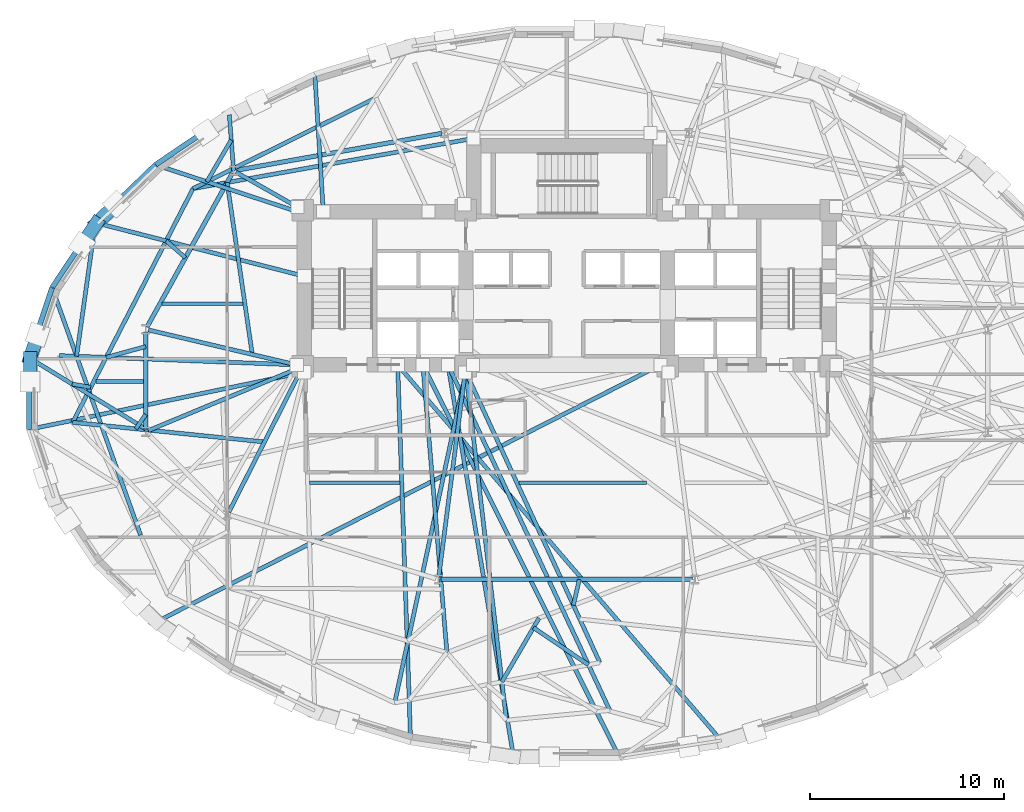
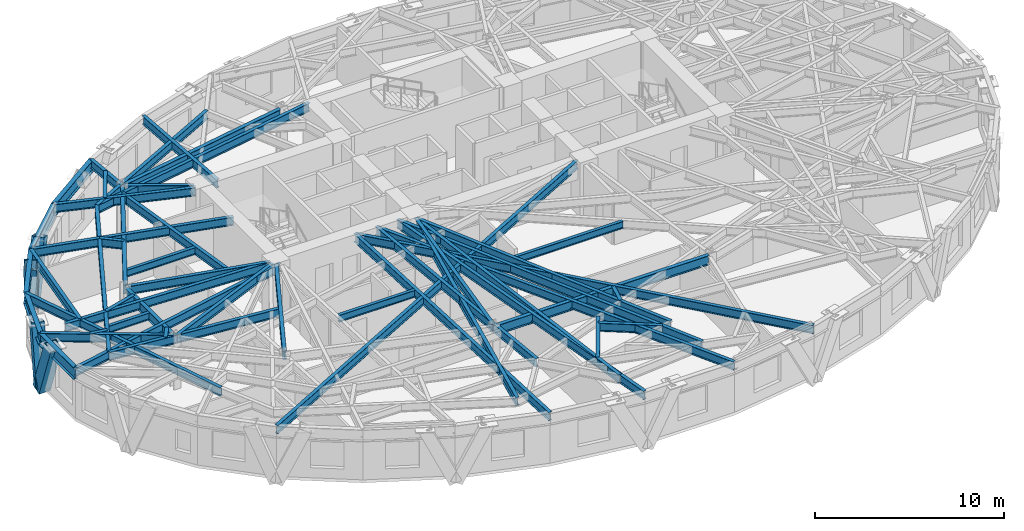
# One storey, part 2 of 14: 50 beams, 4 members.
"""IFC4 building model written with IfcOpenShell, lengths in metres."""

from ifc_helpers import new_model, si_unit, direction, frame, origin, origin_2d, place, context, subcontext, project, spatial, hollow_rectangle, i_section, extrude, material, material_profile, profile_set, type_object, element, save


model = new_model("IFC4")

# Units and contexts
model_context = context("Model", 3, precision=1e-05, world=origin(), true_north=direction((0.0, 1.0)))
body_context = subcontext(model_context, "Body", "Model", "MODEL_VIEW")
ifc_project = project(units=[si_unit("LENGTHUNIT", "METRE"), si_unit("AREAUNIT", "SQUARE_METRE"), si_unit("VOLUMEUNIT", "CUBIC_METRE"), si_unit("PLANEANGLEUNIT", "RADIAN"), si_unit("MASSUNIT", "GRAM", prefix="KILO")], contexts=[model_context])

# Site, building, storey
site_placement = place(None, origin())
site = spatial("IfcSite", under=ifc_project, at=site_placement, CompositionType="ELEMENT")
building_placement = place(site_placement, origin())
building = spatial("IfcBuilding", under=site, at=building_placement, Name="Keldmark Tower", CompositionType="ELEMENT")
storey_placement = place(building_placement, frame((0.0, 0.0, 103.60009765625)))
storey = spatial("IfcBuildingStorey", under=building, at=storey_placement, Name="L27", CompositionType="ELEMENT", Elevation=103.60009765625)

# Beams
ifc_material_1 = material(Name="Steel ASTM A992 Grade 50", Category="steel")
ifc_material_profile_1 = material_profile(ifc_material_1, i_section(OverallWidth=0.19091796875, OverallDepth=0.45703125, WebThickness=0.009033203125, FlangeThickness=0.014404296875, at=origin_2d()), Name="W18X50")
ifc_profile_set_1 = profile_set([ifc_material_profile_1], Name="Steel ASTM A992 Grade 50")
beam_type_1 = type_object("IfcBeamType", Name="Composite Floor Joist W18X50", PredefinedType="JOIST", material=ifc_profile_set_1)
beam_1_placement = place(storey_placement, frame((-13.253662109375, -4.60009765625, 3.081298828125), z_axis=(1.0, 0.0, 0.0), x_axis=(0.0, 1.0, 0.0)))
element("IfcBeam", 1, at=beam_1_placement, inside=storey, type_object=beam_type_1, Name="L27 Composite Floor Joist J04", PredefinedType="JOIST", context=body_context, shape_type="SweptSolid", body=[
    extrude(i_section(OverallWidth=0.19091796875, OverallDepth=0.45703125, WebThickness=0.009033203125, FlangeThickness=0.014404296875, at=origin_2d()), origin(), (0.0, 0.0, 1.0), 4.652099609375),
])
beam_2_placement = place(storey_placement, frame((-2.4638671875, -4.60009765625, 3.081298828125), z_axis=(1.0, 0.0, 0.0), x_axis=(0.0, 1.0, 0.0)))
element("IfcBeam", 2, at=beam_2_placement, inside=storey, type_object=beam_type_1, Name="L27 Composite Floor Joist J05", PredefinedType="JOIST", context=body_context, shape_type="SweptSolid", body=[
    extrude(i_section(OverallWidth=0.19091796875, OverallDepth=0.45703125, WebThickness=0.009033203125, FlangeThickness=0.014404296875, at=origin_2d()), origin(), (0.0, 0.0, 1.0), 6.5712890625),
])
beam_3_placement = place(storey_placement, frame((-24.26806640625, 0.6201171875, 3.081298828125), z_axis=(1.0, 0.0, 0.0), x_axis=(0.0, 1.0, 0.0)))
element("IfcBeam", 3, at=beam_3_placement, inside=storey, type_object=beam_type_1, Name="L27 Composite Floor Joist J08", PredefinedType="JOIST", context=body_context, shape_type="SweptSolid", body=[
    extrude(i_section(OverallWidth=0.19091796875, OverallDepth=0.45703125, WebThickness=0.009033203125, FlangeThickness=0.014404296875, at=origin_2d()), origin(), (0.0, 0.0, 1.0), 2.465576171875),
])
beam_4_placement = place(storey_placement, frame((-20.84912109375, 4.6201171875, 3.081298828125), z_axis=(1.0, 0.0, 0.0), x_axis=(0.0, 1.0, 0.0)))
element("IfcBeam", 4, at=beam_4_placement, inside=storey, type_object=beam_type_1, Name="L27 Composite Floor Joist J09", PredefinedType="JOIST", context=body_context, shape_type="SweptSolid", body=[
    extrude(i_section(OverallWidth=0.19091796875, OverallDepth=0.45703125, WebThickness=0.009033203125, FlangeThickness=0.014404296875, at=origin_2d()), origin(), (0.0, 0.0, 1.0), 4.1650390625),
])

# Members
ifc_material_2 = material(Name="Steel ASTM A572 Grade 50", Category="steel")
ifc_material_profile_2 = material_profile(ifc_material_2, hollow_rectangle(XDim=0.699951171875, YDim=0.699951171875, WallThickness=0.044921875, at=origin_2d()), Name="BOX700X700X45")
ifc_profile_set_2 = profile_set([ifc_material_profile_2], Name="Steel ASTM A572 Grade 50")
member_type = type_object("IfcMemberType", Name="Diagrid Zone 2 Brace BOX700X700X45", PredefinedType="BRACE", material=ifc_profile_set_2)
member_1_placement = place(storey_placement, frame((-24.24658203125, 8.764404296875, -0.27001953125), z_axis=(0.276144933571, 0.265716991779, 0.923654944199), x_axis=(-0.693370375166, 0.720581378362, 0.0)))
element("IfcMember", 5, at=member_1_placement, inside=storey, type_object=member_type, Name="L27 Perimeter Diagrid Brace 07A", PredefinedType="BRACE", context=body_context, shape_type="SweptSolid", body=[
    extrude(hollow_rectangle(XDim=0.699951171875, YDim=0.699951171875, WallThickness=0.044921875, at=origin_2d()), origin(), (0.0, 0.0, 1.0), 3.745849609375),
])
member_2_placement = place(storey_placement, frame((-24.239990234375, 8.774169921875, -0.27001953125), z_axis=(-0.20033727484, -0.300801977198, 0.932407178664), x_axis=(0.832302268479, -0.554322048889, 0.0)))
element("IfcMember", 6, at=member_2_placement, inside=storey, type_object=member_type, Name="L27 Perimeter Diagrid Brace 07B", PredefinedType="BRACE", context=body_context, shape_type="SweptSolid", body=[
    extrude(hollow_rectangle(XDim=0.699951171875, YDim=0.699951171875, WallThickness=0.044921875, at=origin_2d()), origin(), (0.0, 0.0, 1.0), 3.710693359375),
])
member_3_placement = place(storey_placement, frame((-27.658203125, 1.8330078125, -0.27001953125), z_axis=(0.107952872963, 0.326045509503, 0.939170113958), x_axis=(-0.94931811266, 0.314316911692, 0.0)))
element("IfcMember", 7, at=member_3_placement, inside=storey, type_object=member_type, Name="L27 Perimeter Diagrid Brace 08A", PredefinedType="BRACE", context=body_context, shape_type="SweptSolid", body=[
    extrude(hollow_rectangle(XDim=0.699951171875, YDim=0.699951171875, WallThickness=0.044921875, at=origin_2d()), origin(), (0.0, 0.0, 1.0), 3.68408203125),
])
member_4_placement = place(storey_placement, frame((-27.656005859375, 1.844482421875, -0.27001953125), z_axis=(0.0, -0.335839528807, 0.941919216754), x_axis=(1.0, 0.0, 0.0)))
element("IfcMember", 8, at=member_4_placement, inside=storey, type_object=member_type, Name="L27 Perimeter Diagrid Brace 08B", PredefinedType="BRACE", context=body_context, shape_type="SweptSolid", body=[
    extrude(hollow_rectangle(XDim=0.699951171875, YDim=0.699951171875, WallThickness=0.044921875, at=origin_2d()), origin(), (0.0, 0.0, 1.0), 3.67333984375),
])

# Beams
ifc_material_3 = material(Name="Steel ASTM A992 Grade 50", Category="steel")
ifc_material_profile_3 = material_profile(ifc_material_3, i_section(OverallWidth=0.22900390625, OverallDepth=0.612060546875, WebThickness=0.011962890625, FlangeThickness=0.01953125, at=origin_2d()), Name="W24X84")
ifc_profile_set_3 = profile_set([ifc_material_profile_3], Name="Steel ASTM A992 Grade 50")
beam_type_2 = type_object("IfcBeamType", Name="Primary Floor Girder W24X84", PredefinedType="BEAM", material=ifc_profile_set_3)
beam_5_placement = place(storey_placement, frame((-6.4365234375, 13.40771484375, 3.00390625), z_axis=(-0.984218266992, -0.176958760505, 0.0), x_axis=(0.176958760505, -0.984218266992, 0.0)))
element("IfcBeam", 9, at=beam_5_placement, inside=storey, type_object=beam_type_2, Name="L27 Floor Ring Girder FG-R04", PredefinedType="BEAM", context=body_context, shape_type="SweptSolid", body=[
    extrude(i_section(OverallWidth=0.22900390625, OverallDepth=0.612060546875, WebThickness=0.011962890625, FlangeThickness=0.01953125, at=origin_2d()), origin(), (0.0, 0.0, 1.0), 10.7626953125),
])
beam_6_placement = place(storey_placement, frame((-17.235107421875, 11.35595703125, 3.00390625), z_axis=(-0.484951836703, -0.874540860154, 0.0), x_axis=(0.874540860154, -0.484951836703, 0.0)))
element("IfcBeam", 10, at=beam_6_placement, inside=storey, type_object=beam_type_2, Name="L27 Floor Ring Girder FG-R05", PredefinedType="BEAM", context=body_context, shape_type="SweptSolid", body=[
    extrude(i_section(OverallWidth=0.22900390625, OverallDepth=0.612060546875, WebThickness=0.011962890625, FlangeThickness=0.01953125, at=origin_2d()), origin(), (0.0, 0.0, 1.0), 9.060302734375),
])
beam_7_placement = place(storey_placement, frame((-21.697021484375, 3.169921875, 3.00390625), z_axis=(0.0, -1.0, 0.0), x_axis=(1.0, 0.0, 0.0)))
element("IfcBeam", 11, at=beam_7_placement, inside=storey, type_object=beam_type_2, Name="L27 Floor Ring Girder FG-R06", PredefinedType="BEAM", context=body_context, shape_type="SweptSolid", body=[
    extrude(i_section(OverallWidth=0.22900390625, OverallDepth=0.612060546875, WebThickness=0.011962890625, FlangeThickness=0.01953125, at=origin_2d()), origin(), (0.0, 0.0, 1.0), 4.995849609375),
])
beam_8_placement = place(storey_placement, frame((-6.472900390625, -9.579345703125, 3.00390625), z_axis=(1.0, 0.0, 0.0), x_axis=(0.0, 1.0, 0.0)))
element("IfcBeam", 12, at=beam_8_placement, inside=storey, type_object=beam_type_2, Name="L27 Floor Ring Girder FG-R09", PredefinedType="BEAM", context=body_context, shape_type="SweptSolid", body=[
    extrude(i_section(OverallWidth=0.22900390625, OverallDepth=0.612060546875, WebThickness=0.011962890625, FlangeThickness=0.01953125, at=origin_2d()), origin(), (0.0, 0.0, 1.0), 12.94580078125),
])
ifc_material_4 = material(Name="Steel ASTM A992 Grade 50", Category="steel")
ifc_material_profile_4 = material_profile(ifc_material_4, i_section(OverallWidth=0.2099609375, OverallDepth=0.537109375, WebThickness=0.010986328125, FlangeThickness=0.017333984375, at=origin_2d()), Name="W21X68")
ifc_profile_set_4 = profile_set([ifc_material_profile_4], Name="Steel ASTM A992 Grade 50")
beam_type_3 = type_object("IfcBeamType", Name="Radial Tie Girder W21X68", PredefinedType="BEAM", material=ifc_profile_set_4)
beam_9_placement = place(storey_placement, frame((-17.04541015625, 11.4091796875, 3.04150390625), z_axis=(0.86928447329, -0.494312152892, 0.0), x_axis=(0.494312152892, 0.86928447329, 0.0)))
element("IfcBeam", 13, at=beam_9_placement, inside=storey, type_object=beam_type_3, Name="L27 Floor Radial Girder FG-C05", PredefinedType="BEAM", context=body_context, shape_type="SweptSolid", body=[
    extrude(i_section(OverallWidth=0.2099609375, OverallDepth=0.537109375, WebThickness=0.010986328125, FlangeThickness=0.017333984375, at=origin_2d()), origin(), (0.0, 0.0, 1.0), 3.6435546875),
])
beam_10_placement = place(storey_placement, frame((-21.560546875, 3.27783203125, 3.04150390625), z_axis=(0.973283778272, -0.229605502879, 0.0), x_axis=(0.229605502879, 0.973283778272, 0.0)))
element("IfcBeam", 14, at=beam_10_placement, inside=storey, type_object=beam_type_3, Name="L27 Floor Radial Girder FG-C06", PredefinedType="BEAM", context=body_context, shape_type="SweptSolid", body=[
    extrude(i_section(OverallWidth=0.2099609375, OverallDepth=0.537109375, WebThickness=0.010986328125, FlangeThickness=0.017333984375, at=origin_2d()), origin(), (0.0, 0.0, 1.0), 7.85888671875),
])
beam_11_placement = place(storey_placement, frame((-21.567626953125, -1.912109375, 3.04150390625), z_axis=(0.923397393633, 0.383845350932, 0.0), x_axis=(-0.383845350932, 0.923397393633, 0.0)))
element("IfcBeam", 15, at=beam_11_placement, inside=storey, type_object=beam_type_3, Name="L27 Floor Radial Girder FG-C07", PredefinedType="BEAM", context=body_context, shape_type="SweptSolid", body=[
    extrude(i_section(OverallWidth=0.2099609375, OverallDepth=0.537109375, WebThickness=0.010986328125, FlangeThickness=0.017333984375, at=origin_2d()), origin(), (0.0, 0.0, 1.0), 8.30859375),
])
beam_12_placement = place(storey_placement, frame((-17.413818359375, -6.104736328125, 3.04150390625), z_axis=(0.453028637759, 0.891495963743, 0.0), x_axis=(-0.891495963743, 0.453028637759, 0.0)))
element("IfcBeam", 16, at=beam_12_placement, inside=storey, type_object=beam_type_3, Name="L27 Floor Radial Girder FG-C08", PredefinedType="BEAM", context=body_context, shape_type="SweptSolid", body=[
    extrude(i_section(OverallWidth=0.2099609375, OverallDepth=0.537109375, WebThickness=0.010986328125, FlangeThickness=0.017333984375, at=origin_2d()), origin(), (0.0, 0.0, 1.0), 8.09814453125),
])
beam_13_placement = place(storey_placement, frame((-6.594970703125, -9.4404296875, 3.04150390625), z_axis=(0.127642040045, 0.991820301069, 0.0), x_axis=(-0.991820301069, 0.127642040045, 0.0)))
element("IfcBeam", 17, at=beam_13_placement, inside=storey, type_object=beam_type_3, Name="L27 Floor Radial Girder FG-C09", PredefinedType="BEAM", context=body_context, shape_type="SweptSolid", body=[
    extrude(i_section(OverallWidth=0.2099609375, OverallDepth=0.537109375, WebThickness=0.010986328125, FlangeThickness=0.017333984375, at=origin_2d()), origin(), (0.0, 0.0, 1.0), 10.609619140625),
])
beam_14_placement = place(storey_placement, frame((-16.206298828125, 2.014892578125, 3.04150390625), z_axis=(-0.144668966659, 0.989480111011, 0.0), x_axis=(-0.989480111011, -0.144668966659, 0.0)))
element("IfcBeam", 18, at=beam_14_placement, inside=storey, type_object=beam_type_3, Name="L27 Framing Pin Header PH-003", PredefinedType="BEAM", context=body_context, shape_type="SweptSolid", body=[
    extrude(i_section(OverallWidth=0.2099609375, OverallDepth=0.537109375, WebThickness=0.010986328125, FlangeThickness=0.017333984375, at=origin_2d()), origin(), (0.0, 0.0, 1.0), 8.954345703125),
])
beam_15_placement = place(storey_placement, frame((-4.800048828125, 13.14990234375, 3.04150390625), z_axis=(-0.984336944595, -0.176297417749, 0.0), x_axis=(0.176297417749, -0.984336944595, 0.0)))
element("IfcBeam", 19, at=beam_15_placement, inside=storey, type_object=beam_type_3, Name="L27 Sub-Ring Step Girder STP1-M06", PredefinedType="BEAM", context=body_context, shape_type="SweptSolid", body=[
    extrude(i_section(OverallWidth=0.2099609375, OverallDepth=0.537109375, WebThickness=0.010986328125, FlangeThickness=0.017333984375, at=origin_2d()), origin(), (0.0, 0.0, 1.0), 14.688720703125),
])
beam_16_placement = place(storey_placement, frame((-21.697021484375, -1.076416015625, 3.04150390625), z_axis=(-0.566712846815, -0.823915377484, 0.0), x_axis=(0.823915377484, -0.566712846815, 0.0)))
element("IfcBeam", 20, at=beam_16_placement, inside=storey, type_object=beam_type_3, Name="L27 Framing Pin Header PH-004", PredefinedType="BEAM", context=body_context, shape_type="SweptSolid", body=[
    extrude(i_section(OverallWidth=0.2099609375, OverallDepth=0.537109375, WebThickness=0.010986328125, FlangeThickness=0.017333984375, at=origin_2d()), origin(), (0.0, 0.0, 1.0), 0.90087890625),
])
beam_17_placement = place(storey_placement, frame((-15.57958984375, -2.4951171875, 3.04150390625), z_axis=(-0.994834649081, 0.101508723705, 0.0), x_axis=(-0.101508723705, -0.994834649081, 0.0)))
element("IfcBeam", 21, at=beam_17_placement, inside=storey, type_object=beam_type_3, Name="L27 Sub-Ring Step Girder STP1-M07", PredefinedType="BEAM", context=body_context, shape_type="SweptSolid", body=[
    extrude(i_section(OverallWidth=0.2099609375, OverallDepth=0.537109375, WebThickness=0.010986328125, FlangeThickness=0.017333984375, at=origin_2d()), origin(), (0.0, 0.0, 1.0), 9.93310546875),
])
beam_18_placement = place(storey_placement, frame((-7.41796875, 1.47509765625, 3.04150390625), z_axis=(0.083564279251, -0.996502388975, 0.0), x_axis=(0.996502388975, 0.083564279251, 0.0)))
element("IfcBeam", 22, at=beam_18_placement, inside=storey, type_object=beam_type_3, Name="L27 Sub-Ring Step Girder STP1-M09", PredefinedType="BEAM", context=body_context, shape_type="SweptSolid", body=[
    extrude(i_section(OverallWidth=0.2099609375, OverallDepth=0.537109375, WebThickness=0.010986328125, FlangeThickness=0.017333984375, at=origin_2d()), origin(), (0.0, 0.0, 1.0), 14.876708984375),
])
beam_19_placement = place(storey_placement, frame((-9.835693359375, 15.235595703125, 3.04150390625), z_axis=(-0.895801561562, -0.444454229705, 0.0), x_axis=(0.444454229705, -0.895801561562, 0.0)))
element("IfcBeam", 23, at=beam_19_placement, inside=storey, type_object=beam_type_3, Name="L27 Perimeter Collector Ring Beam CRG1-M05", PredefinedType="BEAM", context=body_context, shape_type="SweptSolid", body=[
    extrude(i_section(OverallWidth=0.2099609375, OverallDepth=0.537109375, WebThickness=0.010986328125, FlangeThickness=0.017333984375, at=origin_2d()), origin(), (0.0, 0.0, 1.0), 10.519287109375),
])
beam_20_placement = place(storey_placement, frame((-19.2587890625, 10.560302734375, 3.04150390625), z_axis=(-0.457755076319, -0.889078337439, 0.0), x_axis=(0.889078337439, -0.457755076319, 0.0)))
element("IfcBeam", 24, at=beam_20_placement, inside=storey, type_object=beam_type_3, Name="L27 Perimeter Collector Ring Beam CRG1-M06", PredefinedType="BEAM", context=body_context, shape_type="SweptSolid", body=[
    extrude(i_section(OverallWidth=0.2099609375, OverallDepth=0.537109375, WebThickness=0.010986328125, FlangeThickness=0.017333984375, at=origin_2d()), origin(), (0.0, 0.0, 1.0), 13.550048828125),
])
beam_21_placement = place(storey_placement, frame((-21.697021484375, 2.42041015625, 3.04150390625), z_axis=(-0.96450500901, -0.264064551946, 0.0), x_axis=(0.264064551946, -0.96450500901, 0.0)))
element("IfcBeam", 25, at=beam_21_placement, inside=storey, type_object=beam_type_3, Name="L27 Framing Pin Header PH-010", PredefinedType="BEAM", context=body_context, shape_type="SweptSolid", body=[
    extrude(i_section(OverallWidth=0.2099609375, OverallDepth=0.537109375, WebThickness=0.010986328125, FlangeThickness=0.017333984375, at=origin_2d()), origin(), (0.0, 0.0, 1.0), 2.115478515625),
])
beam_22_placement = place(storey_placement, frame((-13.89990234375, 1.47509765625, 3.04150390625), z_axis=(-0.999228201232, 0.039281062405, 0.0), x_axis=(-0.039281062405, -0.999228201232, 0.0)))
element("IfcBeam", 26, at=beam_22_placement, inside=storey, type_object=beam_type_3, Name="L27 Sub-Ring Step Girder STP2-M07", PredefinedType="BEAM", context=body_context, shape_type="SweptSolid", body=[
    extrude(i_section(OverallWidth=0.2099609375, OverallDepth=0.537109375, WebThickness=0.010986328125, FlangeThickness=0.017333984375, at=origin_2d()), origin(), (0.0, 0.0, 1.0), 12.2626953125),
])
beam_23_placement = place(storey_placement, frame((-5.199951171875, 1.10009765625, 3.04150390625), z_axis=(-0.210462581744, -0.977601913708, 0.0), x_axis=(0.977601913708, -0.210462581744, 0.0)))
element("IfcBeam", 27, at=beam_23_placement, inside=storey, type_object=beam_type_3, Name="L27 Sub-Ring Step Girder STP2-M09", PredefinedType="BEAM", context=body_context, shape_type="SweptSolid", body=[
    extrude(i_section(OverallWidth=0.2099609375, OverallDepth=0.537109375, WebThickness=0.010986328125, FlangeThickness=0.017333984375, at=origin_2d()), origin(), (0.0, 0.0, 1.0), 17.430419921875),
])
beam_24_placement = place(storey_placement, frame((0.647216796875, -9.579345703125, 3.04150390625), z_axis=(-0.225762338717, -0.974182409211, 0.0), x_axis=(0.974182409211, -0.225762338717, 0.0)))
element("IfcBeam", 28, at=beam_24_placement, inside=storey, type_object=beam_type_3, Name="L27 Framing Pin Header PH-013", PredefinedType="BEAM", context=body_context, shape_type="SweptSolid", body=[
    extrude(i_section(OverallWidth=0.2099609375, OverallDepth=0.537109375, WebThickness=0.010986328125, FlangeThickness=0.017333984375, at=origin_2d()), origin(), (0.0, 0.0, 1.0), 1.362548828125),
])
beam_25_placement = place(storey_placement, frame((-5.199951171875, 1.10009765625, 3.04150390625), z_axis=(0.418938879898, -0.908014435408, 0.0), x_axis=(0.908014435408, 0.418938879898, 0.0)))
element("IfcBeam", 29, at=beam_25_placement, inside=storey, type_object=beam_type_3, Name="L27 Sub-Ring Step Girder STP2-M10", PredefinedType="BEAM", context=body_context, shape_type="SweptSolid", body=[
    extrude(i_section(OverallWidth=0.2099609375, OverallDepth=0.537109375, WebThickness=0.010986328125, FlangeThickness=0.017333984375, at=origin_2d()), origin(), (0.0, 0.0, 1.0), 16.482177734375),
])
beam_26_placement = place(storey_placement, frame((-12.54638671875, 9.375, 3.04150390625), z_axis=(-0.061700276129, 0.998094722922, 0.0), x_axis=(-0.998094722922, -0.061700276129, 0.0)))
element("IfcBeam", 30, at=beam_26_placement, inside=storey, type_object=beam_type_3, Name="L27 Perimeter Radial Tie Girder RT-11", PredefinedType="BEAM", context=body_context, shape_type="SweptSolid", body=[
    extrude(i_section(OverallWidth=0.2099609375, OverallDepth=0.537109375, WebThickness=0.010986328125, FlangeThickness=0.017333984375, at=origin_2d()), origin(), (0.0, 0.0, 1.0), 7.1064453125),
])
beam_27_placement = place(storey_placement, frame((-17.1669921875, 11.478271484375, 3.04150390625), z_axis=(-0.077006087343, 0.997030622655, 0.0), x_axis=(-0.997030622655, -0.077006087343, 0.0)))
element("IfcBeam", 31, at=beam_27_placement, inside=storey, type_object=beam_type_3, Name="L27 Perimeter Column Bracket RT-12", PredefinedType="BEAM", context=body_context, shape_type="SweptSolid", body=[
    extrude(i_section(OverallWidth=0.2099609375, OverallDepth=0.537109375, WebThickness=0.010986328125, FlangeThickness=0.017333984375, at=origin_2d()), origin(), (0.0, 0.0, 1.0), 2.89453125),
])
beam_28_placement = place(storey_placement, frame((-17.28955078125, 13.065673828125, 3.04150390625), z_axis=(-0.504449485271, -0.863441206342, 0.0), x_axis=(0.863441206342, -0.504449485271, 0.0)))
element("IfcBeam", 32, at=beam_28_placement, inside=storey, type_object=beam_type_3, Name="L27 Framing Pin Header PH-022", PredefinedType="BEAM", context=body_context, shape_type="SweptSolid", body=[
    extrude(i_section(OverallWidth=0.2099609375, OverallDepth=0.537109375, WebThickness=0.010986328125, FlangeThickness=0.017333984375, at=origin_2d()), origin(), (0.0, 0.0, 1.0), 2.492431640625),
])
beam_29_placement = place(storey_placement, frame((-13.89990234375, 9.375, 3.04150390625), z_axis=(-0.94932040912, 0.314309975705, 0.0), x_axis=(-0.314309975705, -0.94932040912, 0.0)))
element("IfcBeam", 33, at=beam_29_placement, inside=storey, type_object=beam_type_3, Name="L27 Perimeter Radial Tie Girder RT-13", PredefinedType="BEAM", context=body_context, shape_type="SweptSolid", body=[
    extrude(i_section(OverallWidth=0.2099609375, OverallDepth=0.537109375, WebThickness=0.010986328125, FlangeThickness=0.017333984375, at=origin_2d()), origin(), (0.0, 0.0, 1.0), 7.678955078125),
])
beam_30_placement = place(storey_placement, frame((-19.651611328125, 6.997802734375, 3.04150390625), z_axis=(-0.752416343637, 0.658687821223, 0.0), x_axis=(-0.658687821223, -0.752416343637, 0.0)))
element("IfcBeam", 34, at=beam_30_placement, inside=storey, type_object=beam_type_3, Name="L27 Framing Pin Header PH-023", PredefinedType="BEAM", context=body_context, shape_type="SweptSolid", body=[
    extrude(i_section(OverallWidth=0.2099609375, OverallDepth=0.537109375, WebThickness=0.010986328125, FlangeThickness=0.017333984375, at=origin_2d()), origin(), (0.0, 0.0, 1.0), 1.320556640625),
])
beam_31_placement = place(storey_placement, frame((-13.52490234375, 6.04296875, 3.04150390625), z_axis=(-0.968696781598, 0.248246944234, 0.0), x_axis=(-0.248246944234, -0.968696781598, 0.0)))
element("IfcBeam", 35, at=beam_31_placement, inside=storey, type_object=beam_type_3, Name="L27 Perimeter Radial Tie Girder RT-14", PredefinedType="BEAM", context=body_context, shape_type="SweptSolid", body=[
    extrude(i_section(OverallWidth=0.2099609375, OverallDepth=0.537109375, WebThickness=0.010986328125, FlangeThickness=0.017333984375, at=origin_2d()), origin(), (0.0, 0.0, 1.0), 11.115966796875),
])
beam_32_placement = place(storey_placement, frame((-24.29296875, 8.802490234375, 3.04150390625), z_axis=(-0.13900071886, -0.990292280166, 0.0), x_axis=(0.990292280166, -0.13900071886, 0.0)))
element("IfcBeam", 36, at=beam_32_placement, inside=storey, type_object=beam_type_3, Name="L27 Framing Pin Header PH-024", PredefinedType="BEAM", context=body_context, shape_type="SweptSolid", body=[
    extrude(i_section(OverallWidth=0.2099609375, OverallDepth=0.537109375, WebThickness=0.010986328125, FlangeThickness=0.017333984375, at=origin_2d()), origin(), (0.0, 0.0, 1.0), 6.9482421875),
])
beam_33_placement = place(storey_placement, frame((-21.960693359375, -7.294921875, 3.04150390625), z_axis=(-0.336911994657, 0.941536142618, 0.0), x_axis=(-0.941536142618, -0.336911994657, 0.0)))
element("IfcBeam", 37, at=beam_33_placement, inside=storey, type_object=beam_type_3, Name="L27 Perimeter Radial Tie Girder RT-15", PredefinedType="BEAM", context=body_context, shape_type="SweptSolid", body=[
    extrude(i_section(OverallWidth=0.2099609375, OverallDepth=0.537109375, WebThickness=0.010986328125, FlangeThickness=0.017333984375, at=origin_2d()), origin(), (0.0, 0.0, 1.0), 13.540771484375),
])
beam_34_placement = place(storey_placement, frame((-24.531005859375, 0.3203125, 3.04150390625), z_axis=(-0.984651816895, 0.174530225132, 0.0), x_axis=(-0.174530225132, -0.984651816895, 0.0)))
element("IfcBeam", 38, at=beam_34_placement, inside=storey, type_object=beam_type_3, Name="L27 Framing Pin Header PH-025", PredefinedType="BEAM", context=body_context, shape_type="SweptSolid", body=[
    extrude(i_section(OverallWidth=0.2099609375, OverallDepth=0.537109375, WebThickness=0.010986328125, FlangeThickness=0.017333984375, at=origin_2d()), origin(), (0.0, 0.0, 1.0), 0.97216796875),
])
beam_35_placement = place(storey_placement, frame((-21.697021484375, -1.825927734375, 3.04150390625), z_axis=(-0.853385353326, 0.521280575822, 0.0), x_axis=(-0.521280575822, -0.853385353326, 0.0)))
element("IfcBeam", 39, at=beam_35_placement, inside=storey, type_object=beam_type_3, Name="L27 Perimeter Radial Tie Girder RT-16", PredefinedType="BEAM", context=body_context, shape_type="SweptSolid", body=[
    extrude(i_section(OverallWidth=0.2099609375, OverallDepth=0.537109375, WebThickness=0.010986328125, FlangeThickness=0.017333984375, at=origin_2d()), origin(), (0.0, 0.0, 1.0), 7.052734375),
])
beam_36_placement = place(storey_placement, frame((-13.52490234375, 1.10009765625, 3.04150390625), z_axis=(-0.979059659864, -0.203573530763, 0.0), x_axis=(0.203573530763, -0.979059659864, 0.0)))
element("IfcBeam", 40, at=beam_36_placement, inside=storey, type_object=beam_type_3, Name="L27 Perimeter Radial Tie Girder RT-17", PredefinedType="BEAM", context=body_context, shape_type="SweptSolid", body=[
    extrude(i_section(OverallWidth=0.2099609375, OverallDepth=0.537109375, WebThickness=0.010986328125, FlangeThickness=0.017333984375, at=origin_2d()), origin(), (0.0, 0.0, 1.0), 14.494384765625),
])
beam_37_placement = place(storey_placement, frame((4.824951171875, 1.47509765625, 3.04150390625), z_axis=(-0.890888103103, -0.454222839309, 0.0), x_axis=(0.454222839309, -0.890888103103, 0.0)))
element("IfcBeam", 41, at=beam_37_placement, inside=storey, type_object=beam_type_3, Name="L27 Perimeter Radial Tie Girder RT-20", PredefinedType="BEAM", context=body_context, shape_type="SweptSolid", body=[
    extrude(i_section(OverallWidth=0.2099609375, OverallDepth=0.537109375, WebThickness=0.010986328125, FlangeThickness=0.017333984375, at=origin_2d()), origin(), (0.0, 0.0, 1.0), 29.20068359375),
])
beam_38_placement = place(storey_placement, frame((-8.71435546875, 1.47509765625, 3.04150390625), z_axis=(0.034352124829, -0.999409791587, 0.0), x_axis=(0.999409791587, 0.034352124829, 0.0)))
element("IfcBeam", 42, at=beam_38_placement, inside=storey, type_object=beam_type_3, Name="L27 Perimeter Radial Tie Girder RT-23", PredefinedType="BEAM", context=body_context, shape_type="SweptSolid", body=[
    extrude(i_section(OverallWidth=0.2099609375, OverallDepth=0.537109375, WebThickness=0.010986328125, FlangeThickness=0.017333984375, at=origin_2d()), origin(), (0.0, 0.0, 1.0), 19.466064453125),
])
beam_39_placement = place(storey_placement, frame((-1.429443359375, -11.5703125, 3.04150390625), z_axis=(-0.503244138967, -0.864144279964, 0.0), x_axis=(0.864144279964, -0.503244138967, 0.0)))
element("IfcBeam", 43, at=beam_39_placement, inside=storey, type_object=beam_type_3, Name="L27 Framing Pin Header PH-032", PredefinedType="BEAM", context=body_context, shape_type="SweptSolid", body=[
    extrude(i_section(OverallWidth=0.2099609375, OverallDepth=0.537109375, WebThickness=0.010986328125, FlangeThickness=0.017333984375, at=origin_2d()), origin(), (0.0, 0.0, 1.0), 3.802490234375),
])
beam_40_placement = place(storey_placement, frame((-5.199951171875, 1.10009765625, 3.04150390625), z_axis=(0.115592370927, -0.993296735011, 0.0), x_axis=(0.993296735011, 0.115592370927, 0.0)))
element("IfcBeam", 44, at=beam_40_placement, inside=storey, type_object=beam_type_3, Name="L27 Intermediate Radial Step Girder RT-24M", PredefinedType="BEAM", context=body_context, shape_type="SweptSolid", body=[
    extrude(i_section(OverallWidth=0.2099609375, OverallDepth=0.537109375, WebThickness=0.010986328125, FlangeThickness=0.017333984375, at=origin_2d()), origin(), (0.0, 0.0, 1.0), 18.058349609375),
])
beam_41_placement = place(storey_placement, frame((-6.121337890625, 1.47509765625, 3.04150390625), z_axis=(0.165079171882, -0.986280318678, 0.0), x_axis=(0.986280318678, 0.165079171882, 0.0)))
element("IfcBeam", 45, at=beam_41_placement, inside=storey, type_object=beam_type_3, Name="L27 Perimeter Radial Tie Girder RT-24", PredefinedType="BEAM", context=body_context, shape_type="SweptSolid", body=[
    extrude(i_section(OverallWidth=0.2099609375, OverallDepth=0.537109375, WebThickness=0.010986328125, FlangeThickness=0.017333984375, at=origin_2d()), origin(), (0.0, 0.0, 1.0), 20.54541015625),
])
beam_42_placement = place(storey_placement, frame((-1.716552734375, -12.06298828125, 3.04150390625), z_axis=(0.828256151033, -0.56034966608, 0.0), x_axis=(0.56034966608, 0.828256151033, 0.0)))
element("IfcBeam", 46, at=beam_42_placement, inside=storey, type_object=beam_type_3, Name="L27 Framing Pin Header PH-034", PredefinedType="BEAM", context=body_context, shape_type="SweptSolid", body=[
    extrude(i_section(OverallWidth=0.2099609375, OverallDepth=0.537109375, WebThickness=0.010986328125, FlangeThickness=0.017333984375, at=origin_2d()), origin(), (0.0, 0.0, 1.0), 3.4228515625),
])
beam_43_placement = place(storey_placement, frame((-6.121337890625, 1.47509765625, 3.04150390625), z_axis=(0.424176129322, -0.905579710083, 0.0), x_axis=(0.905579710083, 0.424176129322, 0.0)))
element("IfcBeam", 47, at=beam_43_placement, inside=storey, type_object=beam_type_3, Name="L27 Intermediate Radial Step Girder RT-25M", PredefinedType="BEAM", context=body_context, shape_type="SweptSolid", body=[
    extrude(i_section(OverallWidth=0.2099609375, OverallDepth=0.537109375, WebThickness=0.010986328125, FlangeThickness=0.017333984375, at=origin_2d()), origin(), (0.0, 0.0, 1.0), 19.658447265625),
])
beam_44_placement = place(storey_placement, frame((-7.41796875, 1.47509765625, 3.04150390625), z_axis=(0.447778009443, -0.894144761355, 0.0), x_axis=(0.894144761355, 0.447778009443, 0.0)))
element("IfcBeam", 48, at=beam_44_placement, inside=storey, type_object=beam_type_3, Name="L27 Perimeter Radial Tie Girder RT-25", PredefinedType="BEAM", context=body_context, shape_type="SweptSolid", body=[
    extrude(i_section(OverallWidth=0.2099609375, OverallDepth=0.537109375, WebThickness=0.010986328125, FlangeThickness=0.017333984375, at=origin_2d()), origin(), (0.0, 0.0, 1.0), 22.662353515625),
])
beam_45_placement = place(storey_placement, frame((-8.71435546875, 1.47509765625, 3.04150390625), z_axis=(0.652689631699, -0.757625398645, 0.0), x_axis=(0.757625398645, 0.652689631699, 0.0)))
element("IfcBeam", 49, at=beam_45_placement, inside=storey, type_object=beam_type_3, Name="L27 Perimeter Radial Tie Girder RT-26R", PredefinedType="BEAM", context=body_context, shape_type="SweptSolid", body=[
    extrude(i_section(OverallWidth=0.2099609375, OverallDepth=0.537109375, WebThickness=0.010986328125, FlangeThickness=0.017333984375, at=origin_2d()), origin(), (0.0, 0.0, 1.0), 25.678466796875),
])
ifc_material_5 = material(Name="Steel ASTM A992 Grade 50", Category="steel")
ifc_material_profile_5 = material_profile(ifc_material_5, i_section(OverallWidth=0.26806640625, OverallDepth=0.77001953125, WebThickness=0.015625, FlangeThickness=0.025390625, at=origin_2d()), Name="W30X132")
ifc_profile_set_5 = profile_set([ifc_material_profile_5], Name="Steel ASTM A992 Grade 50")
beam_type_4 = type_object("IfcBeamType", Name="Spandrel Ring Beam W30X132", PredefinedType="SPANDREL", material=ifc_profile_set_5)
beam_46_placement = place(storey_placement, frame((-17.389892578125, 14.3642578125, 2.9248046875), z_axis=(-0.827754551165, -0.56109036975, 0.0), x_axis=(0.56109036975, -0.827754551165, 0.0)))
element("IfcBeam", 50, at=beam_46_placement, inside=storey, type_object=beam_type_4, Name="L27 Perimeter Spandrel Ring Beam SRB-12", PredefinedType="SPANDREL", context=body_context, shape_type="SweptSolid", body=[
    extrude(i_section(OverallWidth=0.26806640625, OverallDepth=0.77001953125, WebThickness=0.015625, FlangeThickness=0.025390625, at=origin_2d()), origin(), (0.0, 0.0, 1.0), 4.590576171875),
])
beam_47_placement = place(storey_placement, frame((-21.189697265625, 11.78857421875, 2.9248046875), z_axis=(-0.720581378362, -0.693370375166, 0.0), x_axis=(0.693370375166, -0.720581378362, 0.0)))
element("IfcBeam", 51, at=beam_47_placement, inside=storey, type_object=beam_type_4, Name="L27 Perimeter Spandrel Ring Beam SRB-13", PredefinedType="SPANDREL", context=body_context, shape_type="SweptSolid", body=[
    extrude(i_section(OverallWidth=0.26806640625, OverallDepth=0.77001953125, WebThickness=0.015625, FlangeThickness=0.025390625, at=origin_2d()), origin(), (0.0, 0.0, 1.0), 4.306640625),
])
beam_48_placement = place(storey_placement, frame((-24.29296875, 8.802490234375, 2.9248046875), z_axis=(-0.554265966169, -0.832339617432, 0.0), x_axis=(0.832339617432, -0.554265966169, 0.0)))
element("IfcBeam", 52, at=beam_48_placement, inside=storey, type_object=beam_type_4, Name="L27 Perimeter Spandrel Ring Beam SRB-14", PredefinedType="SPANDREL", context=body_context, shape_type="SweptSolid", body=[
    extrude(i_section(OverallWidth=0.26806640625, OverallDepth=0.77001953125, WebThickness=0.015625, FlangeThickness=0.025390625, at=origin_2d()), origin(), (0.0, 0.0, 1.0), 4.02294921875),
])
beam_49_placement = place(storey_placement, frame((-26.522705078125, 5.4541015625, 2.9248046875), z_axis=(-0.314316911692, -0.94931811266, 0.0), x_axis=(0.94931811266, -0.314316911692, 0.0)))
element("IfcBeam", 53, at=beam_49_placement, inside=storey, type_object=beam_type_4, Name="L27 Perimeter Spandrel Ring Beam SRB-15", PredefinedType="SPANDREL", context=body_context, shape_type="SweptSolid", body=[
    extrude(i_section(OverallWidth=0.26806640625, OverallDepth=0.77001953125, WebThickness=0.015625, FlangeThickness=0.025390625, at=origin_2d()), origin(), (0.0, 0.0, 1.0), 3.7958984375),
])
beam_50_placement = place(storey_placement, frame((-27.7158203125, 1.8505859375, 2.9248046875), z_axis=(0.0, -1.0, 0.0), x_axis=(1.0, 0.0, 0.0)))
element("IfcBeam", 54, at=beam_50_placement, inside=storey, type_object=beam_type_4, Name="L27 Perimeter Spandrel Ring Beam SRB-16", PredefinedType="SPANDREL", context=body_context, shape_type="SweptSolid", body=[
    extrude(i_section(OverallWidth=0.26806640625, OverallDepth=0.77001953125, WebThickness=0.015625, FlangeThickness=0.025390625, at=origin_2d()), origin(), (0.0, 0.0, 1.0), 3.701171875),
])

save(model, "model.ifc")
